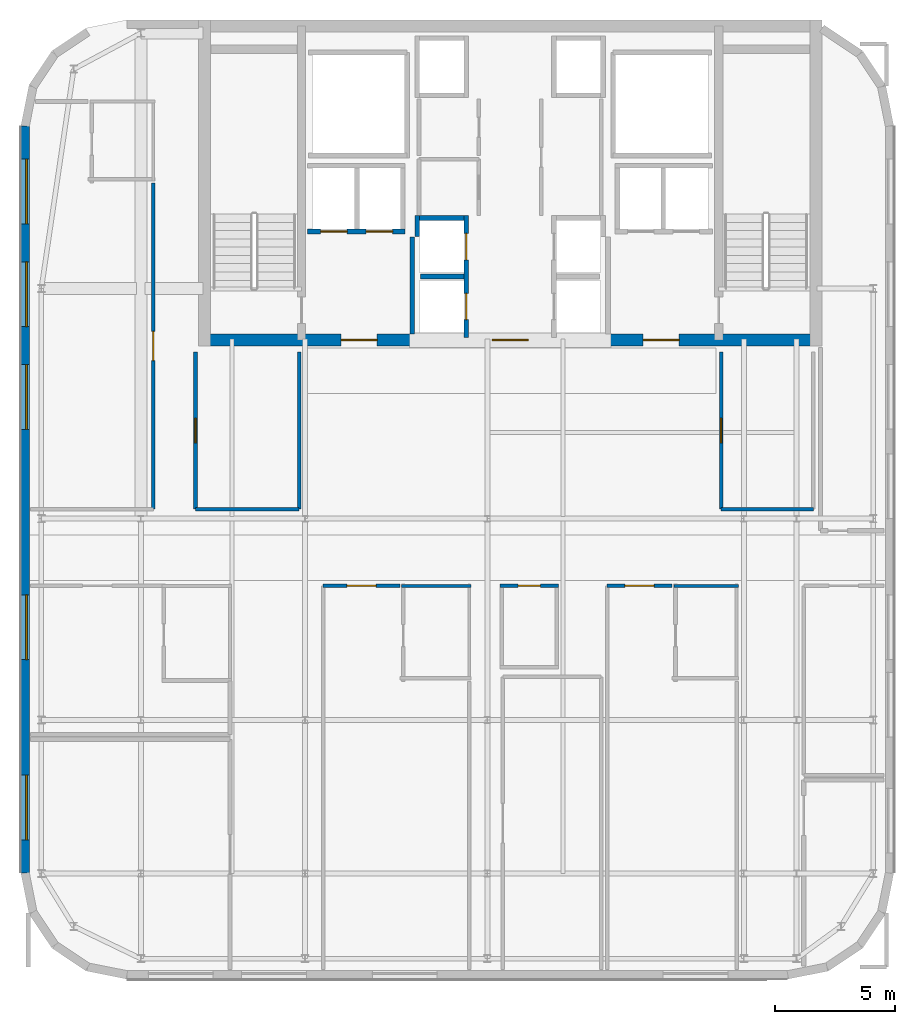
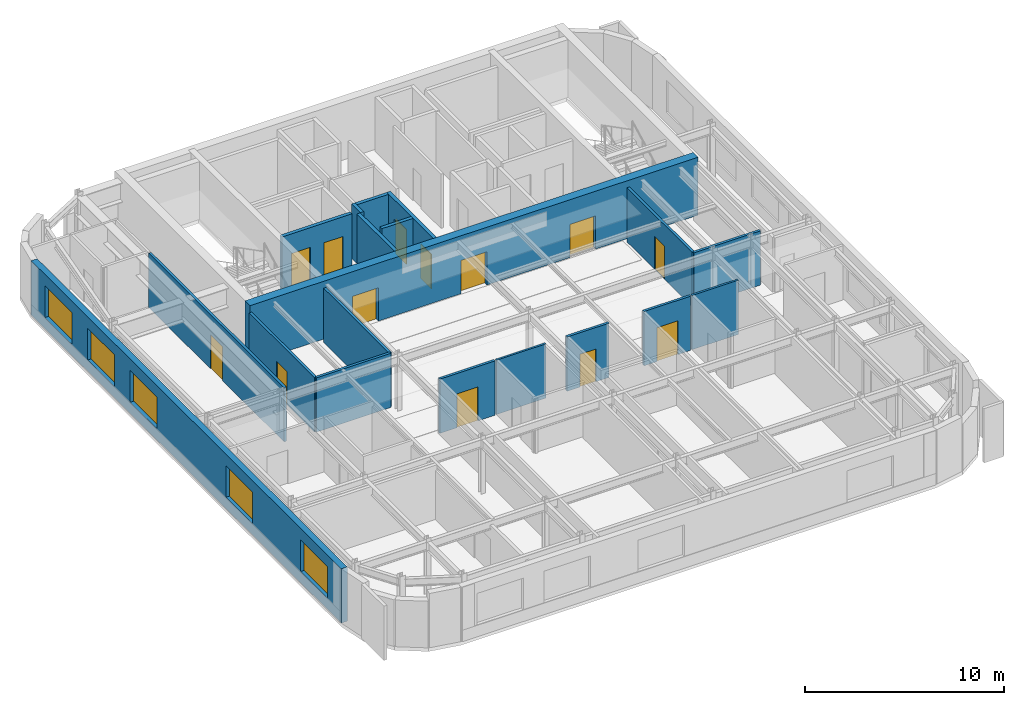
# One storey, part 7 of 15: 19 walls, 13 doors, 5 windows, 18 openings.
"""IFC4 building model written with IfcOpenShell, lengths in metres."""

from ifc_helpers import new_model, si_unit, direction, frame, frame_2d, origin, place, context, subcontext, project, spatial, rectangle, extrude, source, transform, mapped, material, layer, layer_set, type_object, type_shapes, element, fill, save


model = new_model("IFC4")

# Units and contexts
model_context = context("Model", 3, precision=1e-05, world=origin(), true_north=direction((0.0, 1.0)))
body_context = subcontext(model_context, "Body", "Model", "MODEL_VIEW")
ifc_project = project(units=[si_unit("LENGTHUNIT", "METRE"), si_unit("AREAUNIT", "SQUARE_METRE"), si_unit("VOLUMEUNIT", "CUBIC_METRE"), si_unit("PLANEANGLEUNIT", "RADIAN"), si_unit("MASSUNIT", "GRAM", prefix="KILO")], contexts=[model_context])

# Site, building, storey
site_placement = place(None, origin())
site = spatial("IfcSite", under=ifc_project, at=site_placement, CompositionType="ELEMENT")
building_placement = place(site_placement, origin())
building = spatial("IfcBuilding", under=site, at=building_placement, Name="Tolvann Quenvar Hotel", CompositionType="ELEMENT")
storey_placement = place(building_placement, frame((0.0, 0.0, 278.60009765625)))
storey = spatial("IfcBuildingStorey", under=building, at=storey_placement, Name="L74", CompositionType="ELEMENT", Elevation=278.60009765625)

# Wall, openings, doors
ifc_material_1 = material(Name="Concrete N50 (50 MPa)", Category="concrete")
ifc_layer_1 = layer(ifc_material_1, 0.5)
ifc_layer_set_1 = layer_set([ifc_layer_1], Name="Concrete N50 (50 MPa)")
wall_type_1 = type_object("IfcWallType", Name="WALL_CORE_500", PredefinedType="SHEAR", material=ifc_layer_set_1)
wall_1_placement = place(storey_placement, frame((10.0, 31.85009765625, 0.0), z_axis=(0.0, 0.0, 1.0), x_axis=(1.0, 0.0, 0.0)))
wall_1 = element("IfcWall", 1, at=wall_1_placement, inside=storey, type_object=wall_type_1, Name="Rear Core S Shear Wall (L74)", PredefinedType="SHEAR", context=body_context, shape_type="SweptSolid", body=[
    extrude(rectangle(XDim=26.0, YDim=0.5, at=frame_2d((13.0, 0.0))), origin(), (0.0, 0.0, 1.0), 3.5498046875),
])
opening_1_placement = place(wall_1_placement, frame((7.449951171875, 0.0, 0.0), z_axis=(0.0, 0.0, 1.0), x_axis=(-1.0, 0.0, 0.0)))
opening_1 = element("IfcOpeningElement", 2, at=opening_1_placement, cuts=wall_1, Name="Opening FD-60D", PredefinedType="OPENING", context=body_context, shape_type="SweptSolid", body=[
    extrude(rectangle(XDim=1.5, YDim=2.0400390625, at=frame_2d((0.75, 1.02001953125))), frame((0.0, 0.260009765625, 0.0), z_axis=(0.0, -1.0, 0.0), x_axis=(1.0, 0.0, 0.0)), (0.0, 0.0, 1.0), 0.52001953125),
])
opening_2_placement = place(wall_1_placement, frame((13.75, 0.0, 0.0), z_axis=(0.0, 0.0, 1.0), x_axis=(-1.0, 0.0, 0.0)))
opening_2 = element("IfcOpeningElement", 3, at=opening_2_placement, cuts=wall_1, Name="Opening FD-60D", PredefinedType="OPENING", context=body_context, shape_type="SweptSolid", body=[
    extrude(rectangle(XDim=1.5, YDim=2.0400390625, at=frame_2d((0.75, 1.02001953125))), frame((0.0, 0.260009765625, 0.0), z_axis=(0.0, -1.0, 0.0), x_axis=(1.0, 0.0, 0.0)), (0.0, 0.0, 1.0), 0.52001953125),
])
opening_3_placement = place(wall_1_placement, frame((20.050048828125, 0.0, 0.0), z_axis=(0.0, 0.0, 1.0), x_axis=(-1.0, 0.0, 0.0)))
opening_3 = element("IfcOpeningElement", 4, at=opening_3_placement, cuts=wall_1, Name="Opening FD-60D", PredefinedType="OPENING", context=body_context, shape_type="SweptSolid", body=[
    extrude(rectangle(XDim=1.5, YDim=2.0400390625, at=frame_2d((0.75, 1.02001953125))), frame((0.0, 0.260009765625, 0.0), z_axis=(0.0, -1.0, 0.0), x_axis=(1.0, 0.0, 0.0)), (0.0, 0.0, 1.0), 0.52001953125),
])
ifc_material_2 = material(Name="Solid-core American oak acoustic fire door leaf in steel frame", Category="steel")
door_type_1 = type_object("IfcDoorType", Name="DOOR_FIRE_LOBBY_1500", OperationType="NOTDEFINED", PredefinedType="DOOR", material=ifc_material_2)
shared_shape_1 = source(origin(), body_context, "Body", "SweptSolid", [
    extrude(rectangle(XDim=1.5, YDim=2.0400390625, at=frame_2d((0.75, 1.02001953125))), frame((0.0, 0.02490234375, 0.0), z_axis=(0.0, -1.0, 0.0), x_axis=(1.0, 0.0, 0.0)), (0.0, 0.0, 1.0), 0.050048828125),
])
type_shapes(door_type_1, [shared_shape_1])
door_1_placement = place(opening_1_placement, origin())
door_1 = element("IfcDoor", 5, at=door_1_placement, inside=storey, type_object=door_type_1, Name="Core Lobby Fire Door FFW (L74)", OperationType="DOUBLE_DOOR_SINGLE_SWING", OverallHeight=2.0400390625, OverallWidth=1.5, PredefinedType="DOOR", context=body_context, shape_type="MappedRepresentation", body=[
    mapped(shared_shape_1, transform((0.0, 0.0, 0.0), x_axis=(1.0, 0.0, 0.0), y_axis=(0.0, 1.0, 0.0), z_axis=(0.0, 0.0, 1.0), scale=1.0)),
])
fill(opening_1, door_1)
door_2_placement = place(opening_2_placement, origin())
door_2 = element("IfcDoor", 6, at=door_2_placement, inside=storey, type_object=door_type_1, Name="Core Lobby Fire Door CLOB (L74)", OperationType="DOUBLE_DOOR_SINGLE_SWING", OverallHeight=2.0400390625, OverallWidth=1.5, PredefinedType="DOOR", context=body_context, shape_type="MappedRepresentation", body=[
    mapped(shared_shape_1, transform((0.0, 0.0, 0.0), x_axis=(1.0, 0.0, 0.0), y_axis=(0.0, 1.0, 0.0), z_axis=(0.0, 0.0, 1.0), scale=1.0)),
])
fill(opening_2, door_2)
door_3_placement = place(opening_3_placement, origin())
door_3 = element("IfcDoor", 7, at=door_3_placement, inside=storey, type_object=door_type_1, Name="Core Lobby Fire Door FFE (L74)", OperationType="DOUBLE_DOOR_SINGLE_SWING", OverallHeight=2.0400390625, OverallWidth=1.5, PredefinedType="DOOR", context=body_context, shape_type="MappedRepresentation", body=[
    mapped(shared_shape_1, transform((0.0, 0.0, 0.0), x_axis=(1.0, 0.0, 0.0), y_axis=(0.0, 1.0, 0.0), z_axis=(0.0, 0.0, 1.0), scale=1.0)),
])
fill(opening_3, door_3)

# Wall, openings, windows
ifc_material_3 = material(Name="Kiln-fired red and buff architectural clay brickwork and terracotta masonry", Category="masonry")
ifc_layer_2 = layer(ifc_material_3, 0.35009765625)
ifc_layer_set_2 = layer_set([ifc_layer_2], Name="Kiln-fired red and buff architectural clay brickwork and terracotta masonry")
wall_type_2 = type_object("IfcWallType", Name="WALL_EXT_BRICK_350", PredefinedType="SOLIDWALL", material=ifc_layer_set_2)
wall_2_placement = place(storey_placement, frame((2.77490234375, 40.78271484375, 0.0), z_axis=(0.0, 0.0, 1.0), x_axis=(0.0, -1.0, 0.0)))
wall_2 = element("IfcWall", 8, at=wall_2_placement, inside=storey, type_object=wall_type_2, Name="Exterior Chicago Brick Wall L74-E19", PredefinedType="SOLIDWALL", context=body_context, shape_type="SweptSolid", body=[
    extrude(rectangle(XDim=31.16552734375, YDim=0.35009765625, at=frame_2d((15.582763671875, 0.0))), origin(), (0.0, 0.0, 1.0), 3.329833984375),
])
opening_4_placement = place(wall_2_placement, frame((1.389892578125, 0.0, 0.679931640625)))
opening_4 = element("IfcOpeningElement", 9, at=opening_4_placement, cuts=wall_2, Name="Opening W-04", PredefinedType="OPENING", context=body_context, shape_type="SweptSolid", body=[
    extrude(rectangle(XDim=2.699951171875, YDim=1.949951171875, at=frame_2d((1.35009765625, 0.97509765625))), frame((0.0, 0.18505859375, 0.0), z_axis=(0.0, -1.0, 0.0), x_axis=(1.0, 0.0, 0.0)), (0.0, 0.0, 1.0), 0.3701171875),
])
opening_5_placement = place(wall_2_placement, frame((5.6708984375, 0.0, 0.679931640625)))
opening_5 = element("IfcOpeningElement", 10, at=opening_5_placement, cuts=wall_2, Name="Opening W-04", PredefinedType="OPENING", context=body_context, shape_type="SweptSolid", body=[
    extrude(rectangle(XDim=2.699951171875, YDim=1.949951171875, at=frame_2d((1.35009765625, 0.97509765625))), frame((0.0, 0.18505859375, 0.0), z_axis=(0.0, -1.0, 0.0), x_axis=(1.0, 0.0, 0.0)), (0.0, 0.0, 1.0), 0.3701171875),
])
opening_6_placement = place(wall_2_placement, frame((9.951904296875, 0.0, 0.679931640625)))
opening_6 = element("IfcOpeningElement", 11, at=opening_6_placement, cuts=wall_2, Name="Opening W-04", PredefinedType="OPENING", context=body_context, shape_type="SweptSolid", body=[
    extrude(rectangle(XDim=2.699951171875, YDim=1.949951171875, at=frame_2d((1.35009765625, 0.97509765625))), frame((0.0, 0.18505859375, 0.0), z_axis=(0.0, -1.0, 0.0), x_axis=(1.0, 0.0, 0.0)), (0.0, 0.0, 1.0), 0.3701171875),
])
opening_7_placement = place(wall_2_placement, frame((19.56396484375, 0.0, 0.679931640625)))
opening_7 = element("IfcOpeningElement", 12, at=opening_7_placement, cuts=wall_2, Name="Opening W-04", PredefinedType="OPENING", context=body_context, shape_type="SweptSolid", body=[
    extrude(rectangle(XDim=2.699951171875, YDim=1.949951171875, at=frame_2d((1.35009765625, 0.97509765625))), frame((0.0, 0.18505859375, 0.0), z_axis=(0.0, -1.0, 0.0), x_axis=(1.0, 0.0, 0.0)), (0.0, 0.0, 1.0), 0.3701171875),
])
opening_8_placement = place(wall_2_placement, frame((27.074951171875, 0.0, 0.679931640625)))
opening_8 = element("IfcOpeningElement", 13, at=opening_8_placement, cuts=wall_2, Name="Opening W-04", PredefinedType="OPENING", context=body_context, shape_type="SweptSolid", body=[
    extrude(rectangle(XDim=2.699951171875, YDim=1.949951171875, at=frame_2d((1.35009765625, 0.97509765625))), frame((0.0, 0.18505859375, 0.0), z_axis=(0.0, -1.0, 0.0), x_axis=(1.0, 0.0, 0.0)), (0.0, 0.0, 1.0), 0.3701171875),
])
ifc_material_4 = material(Name="Thermally broken bronze-anodised aluminium frame with double low-E glazing", Category="aluminium")
window_type = type_object("IfcWindowType", Name="WIN_STE_2700x2150", PartitioningType="TRIPLE_PANEL_HORIZONTAL", PredefinedType="WINDOW", material=ifc_material_4)
shared_shape_2 = source(origin(), body_context, "Body", "SweptSolid", [
    extrude(rectangle(XDim=2.699951171875, YDim=1.949951171875, at=frame_2d((1.35009765625, 0.97509765625))), frame((0.0, 0.090087890625, 0.0), z_axis=(0.0, -1.0, 0.0), x_axis=(1.0, 0.0, 0.0)), (0.0, 0.0, 1.0), 0.06005859375),
])
type_shapes(window_type, [shared_shape_2])
window_1_placement = place(opening_4_placement, origin())
window_1 = element("IfcWindow", 14, at=window_1_placement, inside=storey, type_object=window_type, Name="Chicago Window W-04 (EW-L74-E19-W01)", OverallHeight=1.949951171875, OverallWidth=2.699951171875, PartitioningType="TRIPLE_PANEL_HORIZONTAL", PredefinedType="WINDOW", context=body_context, shape_type="MappedRepresentation", body=[
    mapped(shared_shape_2, transform((0.0, 0.0, 0.0), x_axis=(1.0, 0.0, 0.0), y_axis=(0.0, 1.0, 0.0), z_axis=(0.0, 0.0, 1.0), scale=1.0)),
])
fill(opening_4, window_1)
window_2_placement = place(opening_5_placement, origin())
window_2 = element("IfcWindow", 15, at=window_2_placement, inside=storey, type_object=window_type, Name="Chicago Window W-04 (EW-L74-E19-W02)", OverallHeight=1.949951171875, OverallWidth=2.699951171875, PartitioningType="TRIPLE_PANEL_HORIZONTAL", PredefinedType="WINDOW", context=body_context, shape_type="MappedRepresentation", body=[
    mapped(shared_shape_2, transform((0.0, 0.0, 0.0), x_axis=(1.0, 0.0, 0.0), y_axis=(0.0, 1.0, 0.0), z_axis=(0.0, 0.0, 1.0), scale=1.0)),
])
fill(opening_5, window_2)
window_3_placement = place(opening_6_placement, origin())
window_3 = element("IfcWindow", 16, at=window_3_placement, inside=storey, type_object=window_type, Name="Chicago Window W-04 (EW-L74-E19-W03)", OverallHeight=1.949951171875, OverallWidth=2.699951171875, PartitioningType="TRIPLE_PANEL_HORIZONTAL", PredefinedType="WINDOW", context=body_context, shape_type="MappedRepresentation", body=[
    mapped(shared_shape_2, transform((0.0, 0.0, 0.0), x_axis=(1.0, 0.0, 0.0), y_axis=(0.0, 1.0, 0.0), z_axis=(0.0, 0.0, 1.0), scale=1.0)),
])
fill(opening_6, window_3)
window_4_placement = place(opening_7_placement, origin())
window_4 = element("IfcWindow", 17, at=window_4_placement, inside=storey, type_object=window_type, Name="Chicago Window W-04 (EW-L74-E19-W04)", OverallHeight=1.949951171875, OverallWidth=2.699951171875, PartitioningType="TRIPLE_PANEL_HORIZONTAL", PredefinedType="WINDOW", context=body_context, shape_type="MappedRepresentation", body=[
    mapped(shared_shape_2, transform((0.0, 0.0, 0.0), x_axis=(1.0, 0.0, 0.0), y_axis=(0.0, 1.0, 0.0), z_axis=(0.0, 0.0, 1.0), scale=1.0)),
])
fill(opening_7, window_4)
window_5_placement = place(opening_8_placement, origin())
window_5 = element("IfcWindow", 18, at=window_5_placement, inside=storey, type_object=window_type, Name="Chicago Window W-04 (EW-L74-E19-W05)", OverallHeight=1.949951171875, OverallWidth=2.699951171875, PartitioningType="TRIPLE_PANEL_HORIZONTAL", PredefinedType="WINDOW", context=body_context, shape_type="MappedRepresentation", body=[
    mapped(shared_shape_2, transform((0.0, 0.0, 0.0), x_axis=(1.0, 0.0, 0.0), y_axis=(0.0, 1.0, 0.0), z_axis=(0.0, 0.0, 1.0), scale=1.0)),
])
fill(opening_8, window_5)

# Walls
ifc_material_5 = material(Name="Moisture-resistant acoustic plumbing wall assembly")
ifc_layer_3 = layer(ifc_material_5, 0.1201171875)
ifc_layer_set_3 = layer_set([ifc_layer_3], Name="Moisture-resistant acoustic plumbing wall assembly")
wall_type_3 = type_object("IfcWallType", Name="WALL_PART_BATH_120", PredefinedType="PLUMBINGWALL", material=ifc_layer_set_3)
wall_3_placement = place(storey_placement, frame((18.47998046875, 21.60009765625, 0.0), z_axis=(0.0, 0.0, 1.0), x_axis=(1.0, 0.0, 0.0)))
element("IfcWall", 19, at=wall_3_placement, inside=storey, type_object=wall_type_3, Name="Non-Rated Plumbing Partition PT-SPC-L74-PRC-ENS-N", PredefinedType="PLUMBINGWALL", context=body_context, shape_type="SweptSolid", body=[
    extrude(rectangle(XDim=2.89013671875, YDim=0.1201171875, at=frame_2d((1.445068359375, 0.0))), origin(), (0.0, 0.0, 1.0), 3.329833984375),
])
wall_4_placement = place(storey_placement, frame((29.830078125, 21.60009765625, 0.0), z_axis=(0.0, 0.0, 1.0), x_axis=(1.0, 0.0, 0.0)))
element("IfcWall", 20, at=wall_4_placement, inside=storey, type_object=wall_type_3, Name="Non-Rated Plumbing Partition PT-SPC-L74-PSE-ENS-N", PredefinedType="PLUMBINGWALL", context=body_context, shape_type="SweptSolid", body=[
    extrude(rectangle(XDim=2.68994140625, YDim=0.1201171875, at=frame_2d((1.344970703125, 0.0))), origin(), (0.0, 0.0, 1.0), 3.329833984375),
])

# Wall, opening, door
ifc_material_6 = material(Name="Acoustic twin-stud fire-rated gypsum plasterboard partition")
ifc_layer_4 = layer(ifc_material_6, 0.14990234375)
ifc_layer_set_4 = layer_set([ifc_layer_4], Name="Acoustic twin-stud fire-rated gypsum plasterboard partition")
wall_type_4 = type_object("IfcWallType", Name="WALL_PART_SUITE_150", PredefinedType="PARTITIONING", material=ifc_layer_set_4)
wall_5_placement = place(storey_placement, frame((15.199951171875, 21.60009765625, 0.0), z_axis=(0.0, 0.0, 1.0), x_axis=(1.0, 0.0, 0.0)))
wall_5 = element("IfcWall", 21, at=wall_5_placement, inside=storey, type_object=wall_type_4, Name="Interior Partition PT-SPC-L74-PRC-LIV-ENT", PredefinedType="PARTITIONING", context=body_context, shape_type="SweptSolid", body=[
    extrude(rectangle(XDim=3.199951171875, YDim=0.14990234375, at=frame_2d((1.60009765625, 0.0))), origin(), (0.0, 0.0, 1.0), 3.329833984375),
])
opening_9_placement = place(wall_5_placement, frame((0.989990234375, 0.0, 0.0)))
opening_9 = element("IfcOpeningElement", 22, at=opening_9_placement, cuts=wall_5, Name="Opening SD-02", PredefinedType="OPENING", context=body_context, shape_type="SweptSolid", body=[
    extrude(rectangle(XDim=1.219970703125, YDim=2.080078125, at=frame_2d((0.60986328125, 1.0400390625))), frame((0.0, 0.0849609375, 0.0), z_axis=(0.0, -1.0, 0.0), x_axis=(1.0, 0.0, 0.0)), (0.0, 0.0, 1.0), 0.169921875),
])
door_type_2 = type_object("IfcDoorType", Name="DOOR_VIP_1220", OperationType="NOTDEFINED", PredefinedType="DOOR", material=ifc_material_2)
shared_shape_3 = source(origin(), body_context, "Body", "SweptSolid", [
    extrude(rectangle(XDim=1.219970703125, YDim=2.080078125, at=frame_2d((0.60986328125, 1.0400390625))), frame((0.0, 0.02490234375, 0.0), z_axis=(0.0, -1.0, 0.0), x_axis=(1.0, 0.0, 0.0)), (0.0, 0.0, 1.0), 0.050048828125),
])
type_shapes(door_type_2, [shared_shape_3])
door_4_placement = place(opening_9_placement, origin())
door_4 = element("IfcDoor", 23, at=door_4_placement, inside=storey, type_object=door_type_2, Name="Interior Door DOOR-SPC-L74-PRC-LIV", OperationType="SINGLE_SWING_LEFT", OverallHeight=2.080078125, OverallWidth=1.219970703125, PredefinedType="DOOR", context=body_context, shape_type="MappedRepresentation", body=[
    mapped(shared_shape_3, transform((0.0, 0.0, 0.0), x_axis=(1.0, 0.0, 0.0), y_axis=(0.0, 1.0, 0.0), z_axis=(0.0, 0.0, 1.0), scale=1.0)),
])
fill(opening_9, door_4)

wall_6_placement = place(storey_placement, frame((27.050048828125, 21.60009765625, 0.0), z_axis=(0.0, 0.0, 1.0), x_axis=(1.0, 0.0, 0.0)))
wall_6 = element("IfcWall", 24, at=wall_6_placement, inside=storey, type_object=wall_type_4, Name="Interior Partition PT-SPC-L74-PSE-LIV-ENT", PredefinedType="PARTITIONING", context=body_context, shape_type="SweptSolid", body=[
    extrude(rectangle(XDim=2.699951171875, YDim=0.14990234375, at=frame_2d((1.35009765625, 0.0))), origin(), (0.0, 0.0, 1.0), 3.329833984375),
])
opening_10_placement = place(wall_6_placement, frame((0.739990234375, 0.0, 0.0)))
opening_10 = element("IfcOpeningElement", 25, at=opening_10_placement, cuts=wall_6, Name="Opening SD-02", PredefinedType="OPENING", context=body_context, shape_type="SweptSolid", body=[
    extrude(rectangle(XDim=1.219970703125, YDim=2.080078125, at=frame_2d((0.60986328125, 1.0400390625))), frame((0.0, 0.0849609375, 0.0), z_axis=(0.0, -1.0, 0.0), x_axis=(1.0, 0.0, 0.0)), (0.0, 0.0, 1.0), 0.169921875),
])
door_5_placement = place(opening_10_placement, origin())
door_5 = element("IfcDoor", 26, at=door_5_placement, inside=storey, type_object=door_type_2, Name="Interior Door DOOR-SPC-L74-PSE-LIV", OperationType="SINGLE_SWING_RIGHT", OverallHeight=2.080078125, OverallWidth=1.219970703125, PredefinedType="DOOR", context=body_context, shape_type="MappedRepresentation", body=[
    mapped(shared_shape_3, transform((0.0, 0.0, 0.0), x_axis=(1.0, 0.0, 0.0), y_axis=(0.0, 1.0, 0.0), z_axis=(0.0, 0.0, 1.0), scale=1.0)),
])
fill(opening_10, door_5)

wall_7_placement = place(storey_placement, frame((8.1201171875, 24.800048828125, 0.0), z_axis=(0.0, 0.0, 1.0), x_axis=(0.0, 1.0, 0.0)))
wall_7 = element("IfcWall", 27, at=wall_7_placement, inside=storey, type_object=wall_type_4, Name="Interior Partition PT-SPC-L74-NW-STE-ENT", PredefinedType="PARTITIONING", context=body_context, shape_type="SweptSolid", body=[
    extrude(rectangle(XDim=13.599853515625, YDim=0.14990234375, at=frame_2d((6.7998046875, 0.0))), origin(), (0.0, 0.0, 1.0), 3.329833984375),
])
opening_11_placement = place(wall_7_placement, frame((6.18994140625, 0.0, 0.0)))
opening_11 = element("IfcOpeningElement", 28, at=opening_11_placement, cuts=wall_7, Name="Opening SD-02", PredefinedType="OPENING", context=body_context, shape_type="SweptSolid", body=[
    extrude(rectangle(XDim=1.219970703125, YDim=2.080078125, at=frame_2d((0.60986328125, 1.0400390625))), frame((0.0, 0.0849609375, 0.0), z_axis=(0.0, -1.0, 0.0), x_axis=(1.0, 0.0, 0.0)), (0.0, 0.0, 1.0), 0.169921875),
])
door_6_placement = place(opening_11_placement, origin())
door_6 = element("IfcDoor", 29, at=door_6_placement, inside=storey, type_object=door_type_2, Name="Interior Door DOOR-SPC-L74-NW-STE", OperationType="SINGLE_SWING_RIGHT", OverallHeight=2.080078125, OverallWidth=1.219970703125, PredefinedType="DOOR", context=body_context, shape_type="MappedRepresentation", body=[
    mapped(shared_shape_3, transform((0.0, 0.0, 0.0), x_axis=(1.0, 0.0, 0.0), y_axis=(0.0, 1.0, 0.0), z_axis=(0.0, 0.0, 1.0), scale=1.0)),
])
fill(opening_11, door_6)

# Wall
wall_8_placement = place(storey_placement, frame((9.8798828125, 24.800048828125, 0.0), z_axis=(0.0, 0.0, 1.0), x_axis=(1.0, 0.0, 0.0)))
element("IfcWall", 30, at=wall_8_placement, inside=storey, type_object=wall_type_4, Name="Interior Partition PT-SPC-L74-BUTL-S", PredefinedType="PARTITIONING", context=body_context, shape_type="SweptSolid", body=[
    extrude(rectangle(XDim=4.320068359375, YDim=0.14990234375, at=frame_2d((2.16015625, 0.0))), origin(), (0.0, 0.0, 1.0), 3.329833984375),
])

# Wall, opening, door
wall_9_placement = place(storey_placement, frame((9.8798828125, 24.800048828125, 0.0), z_axis=(0.0, 0.0, 1.0), x_axis=(0.0, 1.0, 0.0)))
wall_9 = element("IfcWall", 31, at=wall_9_placement, inside=storey, type_object=wall_type_4, Name="Interior Partition PT-SPC-L74-BUTL-W", PredefinedType="PARTITIONING", context=body_context, shape_type="SweptSolid", body=[
    extrude(rectangle(XDim=6.550048828125, YDim=0.14990234375, at=frame_2d((3.27490234375, 0.0))), origin(), (0.0, 0.0, 1.0), 3.329833984375),
])
opening_12_placement = place(wall_9_placement, frame((2.764892578125, 0.0, 0.0)))
opening_12 = element("IfcOpeningElement", 32, at=opening_12_placement, cuts=wall_9, Name="Opening HD-01", PredefinedType="OPENING", context=body_context, shape_type="SweptSolid", body=[
    extrude(rectangle(XDim=1.02001953125, YDim=2.030029296875, at=frame_2d((0.510009765625, 1.01513671875))), frame((0.0, 0.0849609375, 0.0), z_axis=(0.0, -1.0, 0.0), x_axis=(1.0, 0.0, 0.0)), (0.0, 0.0, 1.0), 0.169921875),
])
ifc_material_7 = material(Name="Pressed galvanised steel fire-rated door set", Category="steel")
door_type_3 = type_object("IfcDoorType", Name="DOOR_BOH_1020", OperationType="NOTDEFINED", PredefinedType="DOOR", material=ifc_material_7)
shared_shape_4 = source(origin(), body_context, "Body", "SweptSolid", [
    extrude(rectangle(XDim=1.02001953125, YDim=2.030029296875, at=frame_2d((0.510009765625, 1.01513671875))), frame((0.0, 0.02490234375, 0.0), z_axis=(0.0, -1.0, 0.0), x_axis=(1.0, 0.0, 0.0)), (0.0, 0.0, 1.0), 0.050048828125),
])
type_shapes(door_type_3, [shared_shape_4])
door_7_placement = place(opening_12_placement, origin())
door_7 = element("IfcDoor", 33, at=door_7_placement, inside=storey, type_object=door_type_3, Name="Interior Door DOOR-SPC-L74-BUTL", OperationType="SINGLE_SWING_LEFT", OverallHeight=2.030029296875, OverallWidth=1.02001953125, PredefinedType="DOOR", context=body_context, shape_type="MappedRepresentation", body=[
    mapped(shared_shape_4, transform((0.0, 0.0, 0.0), x_axis=(1.0, 0.0, 0.0), y_axis=(0.0, 1.0, 0.0), z_axis=(0.0, 0.0, 1.0), scale=1.0)),
])
fill(opening_12, door_7)

# Walls
wall_10_placement = place(storey_placement, frame((14.199951171875, 24.800048828125, 0.0), z_axis=(0.0, 0.0, 1.0), x_axis=(0.0, 1.0, 0.0)))
element("IfcWall", 34, at=wall_10_placement, inside=storey, type_object=wall_type_4, Name="Interior Partition PT-SPC-L74-BUTL-E", PredefinedType="PARTITIONING", context=body_context, shape_type="SweptSolid", body=[
    extrude(rectangle(XDim=6.550048828125, YDim=0.14990234375, at=frame_2d((3.27490234375, 0.0))), origin(), (0.0, 0.0, 1.0), 3.329833984375),
])
wall_11_placement = place(storey_placement, frame((31.800048828125, 24.800048828125, 0.0), z_axis=(0.0, 0.0, 1.0), x_axis=(1.0, 0.0, 0.0)))
element("IfcWall", 35, at=wall_11_placement, inside=storey, type_object=wall_type_4, Name="Interior Partition PT-SPC-L74-HSK-S", PredefinedType="PARTITIONING", context=body_context, shape_type="SweptSolid", body=[
    extrude(rectangle(XDim=3.849853515625, YDim=0.14990234375, at=frame_2d((1.9248046875, 0.0))), origin(), (0.0, 0.0, 1.0), 3.329833984375),
])

# Wall, opening, door
wall_12_placement = place(storey_placement, frame((31.800048828125, 24.800048828125, 0.0), z_axis=(0.0, 0.0, 1.0), x_axis=(0.0, 1.0, 0.0)))
wall_12 = element("IfcWall", 36, at=wall_12_placement, inside=storey, type_object=wall_type_4, Name="Interior Partition PT-SPC-L74-HSK-W", PredefinedType="PARTITIONING", context=body_context, shape_type="SweptSolid", body=[
    extrude(rectangle(XDim=6.550048828125, YDim=0.14990234375, at=frame_2d((3.27490234375, 0.0))), origin(), (0.0, 0.0, 1.0), 3.329833984375),
])
opening_13_placement = place(wall_12_placement, frame((2.764892578125, 0.0, 0.0)))
opening_13 = element("IfcOpeningElement", 37, at=opening_13_placement, cuts=wall_12, Name="Opening HD-01", PredefinedType="OPENING", context=body_context, shape_type="SweptSolid", body=[
    extrude(rectangle(XDim=1.02001953125, YDim=2.030029296875, at=frame_2d((0.510009765625, 1.01513671875))), frame((0.0, 0.0849609375, 0.0), z_axis=(0.0, -1.0, 0.0), x_axis=(1.0, 0.0, 0.0)), (0.0, 0.0, 1.0), 0.169921875),
])
door_8_placement = place(opening_13_placement, origin())
door_8 = element("IfcDoor", 38, at=door_8_placement, inside=storey, type_object=door_type_3, Name="Interior Door DOOR-SPC-L74-HSK", OperationType="SINGLE_SWING_RIGHT", OverallHeight=2.030029296875, OverallWidth=1.02001953125, PredefinedType="DOOR", context=body_context, shape_type="MappedRepresentation", body=[
    mapped(shared_shape_4, transform((0.0, 0.0, 0.0), x_axis=(1.0, 0.0, 0.0), y_axis=(0.0, 1.0, 0.0), z_axis=(0.0, 0.0, 1.0), scale=1.0)),
])
fill(opening_13, door_8)

wall_13_placement = place(storey_placement, frame((22.580078125, 21.60009765625, 0.0), z_axis=(0.0, 0.0, 1.0), x_axis=(1.0, 0.0, 0.0)))
wall_13 = element("IfcWall", 39, at=wall_13_placement, inside=storey, type_object=wall_type_4, Name="Interior Partition PT-SPC-L74-WCA-N", PredefinedType="PARTITIONING", context=body_context, shape_type="SweptSolid", body=[
    extrude(rectangle(XDim=2.43994140625, YDim=0.14990234375, at=frame_2d((1.219970703125, 0.0))), origin(), (0.0, 0.0, 1.0), 3.329833984375),
])
opening_14_placement = place(wall_13_placement, frame((0.760009765625, 0.0, 0.0)))
opening_14 = element("IfcOpeningElement", 40, at=opening_14_placement, cuts=wall_13, Name="Opening WD-01", PredefinedType="OPENING", context=body_context, shape_type="SweptSolid", body=[
    extrude(rectangle(XDim=0.919921875, YDim=2.010009765625, at=frame_2d((0.4599609375, 1.0048828125))), frame((0.0, 0.0849609375, 0.0), z_axis=(0.0, -1.0, 0.0), x_axis=(1.0, 0.0, 0.0)), (0.0, 0.0, 1.0), 0.169921875),
])
door_type_4 = type_object("IfcDoorType", Name="DOOR_WC_920", OperationType="NOTDEFINED", PredefinedType="DOOR", material=ifc_material_2)
shared_shape_5 = source(origin(), body_context, "Body", "SweptSolid", [
    extrude(rectangle(XDim=0.919921875, YDim=2.010009765625, at=frame_2d((0.4599609375, 1.0048828125))), frame((0.0, 0.02490234375, 0.0), z_axis=(0.0, -1.0, 0.0), x_axis=(1.0, 0.0, 0.0)), (0.0, 0.0, 1.0), 0.050048828125),
])
type_shapes(door_type_4, [shared_shape_5])
door_9_placement = place(opening_14_placement, origin())
door_9 = element("IfcDoor", 41, at=door_9_placement, inside=storey, type_object=door_type_4, Name="Interior Door DOOR-SPC-L74-WCA", OperationType="SINGLE_SWING_LEFT", OverallHeight=2.010009765625, OverallWidth=0.919921875, PredefinedType="DOOR", context=body_context, shape_type="MappedRepresentation", body=[
    mapped(shared_shape_5, transform((0.0, 0.0, 0.0), x_axis=(1.0, 0.0, 0.0), y_axis=(0.0, 1.0, 0.0), z_axis=(0.0, 0.0, 1.0), scale=1.0)),
])
fill(opening_14, door_9)

# Wall
ifc_material_8 = material(Name="Concrete N40 (40 MPa)", Category="concrete")
ifc_layer_5 = layer(ifc_material_8, 0.199951171875)
ifc_layer_set_5 = layer_set([ifc_layer_5], Name="Concrete N40 (40 MPa)")
wall_type_5 = type_object("IfcWallType", Name="WALL_SHAFT_200", PredefinedType="SOLIDWALL", material=ifc_layer_set_5)
wall_14_placement = place(storey_placement, frame((18.919921875, 32.10400390625, 0.0), z_axis=(0.0, 0.0, 1.0), x_axis=(0.0, 1.0, 0.0)))
element("IfcWall", 42, at=wall_14_placement, inside=storey, type_object=wall_type_5, Name="Firefighting Lobby W Inner Fire Wall (L74)", PredefinedType="SOLIDWALL", context=body_context, shape_type="SweptSolid", body=[
    extrude(rectangle(XDim=4.0458984375, YDim=0.199951171875, at=frame_2d((2.02294921875, 0.0))), origin(), (0.0, 0.0, 1.0), 3.329833984375),
])

# Wall, openings, doors
wall_15_placement = place(storey_placement, frame((21.169921875, 31.9599609375, 0.0), z_axis=(0.0, 0.0, 1.0), x_axis=(0.0, 1.0, 0.0)))
wall_15 = element("IfcWall", 43, at=wall_15_placement, inside=storey, type_object=wall_type_5, Name="Lift Bank E21.1C1 Hoistway Front Wall (L74)", PredefinedType="SOLIDWALL", context=body_context, shape_type="SweptSolid", body=[
    extrude(rectangle(XDim=5.080078125, YDim=0.199951171875, at=frame_2d((2.5400390625, 0.0))), origin(), (0.0, 0.0, 1.0), 3.329833984375),
])
opening_15_placement = place(wall_15_placement, frame((0.739990234375, 0.0, 0.0)))
opening_15 = element("IfcOpeningElement", 44, at=opening_15_placement, cuts=wall_15, Name="Opening LD-01", PredefinedType="OPENING", context=body_context, shape_type="SweptSolid", body=[
    extrude(rectangle(XDim=1.10009765625, YDim=2.1201171875, at=frame_2d((0.550048828125, 1.06005859375))), frame((0.0, 0.10986328125, 0.0), z_axis=(0.0, -1.0, 0.0), x_axis=(1.0, 0.0, 0.0)), (0.0, 0.0, 1.0), 0.219970703125),
])
opening_16_placement = place(wall_15_placement, frame((3.239990234375, 0.0, 0.0)))
opening_16 = element("IfcOpeningElement", 45, at=opening_16_placement, cuts=wall_15, Name="Opening LD-01", PredefinedType="OPENING", context=body_context, shape_type="SweptSolid", body=[
    extrude(rectangle(XDim=1.10009765625, YDim=2.1201171875, at=frame_2d((0.550048828125, 1.06005859375))), frame((0.0, 0.10986328125, 0.0), z_axis=(0.0, -1.0, 0.0), x_axis=(1.0, 0.0, 0.0)), (0.0, 0.0, 1.0), 0.219970703125),
])
ifc_material_9 = material(Name="Brushed 316 stainless steel automatic sliding lift landing door", Category="steel")
door_type_5 = type_object("IfcDoorType", Name="DOOR_LIFT_SLIDE_1100", OperationType="NOTDEFINED", PredefinedType="DOOR", material=ifc_material_9)
shared_shape_6 = source(origin(), body_context, "Body", "SweptSolid", [
    extrude(rectangle(XDim=1.10009765625, YDim=2.1201171875, at=frame_2d((0.550048828125, 1.06005859375))), frame((0.0, 0.02490234375, 0.0), z_axis=(0.0, -1.0, 0.0), x_axis=(1.0, 0.0, 0.0)), (0.0, 0.0, 1.0), 0.050048828125),
])
type_shapes(door_type_5, [shared_shape_6])
door_10_placement = place(opening_15_placement, origin())
door_10 = element("IfcDoor", 46, at=door_10_placement, inside=storey, type_object=door_type_5, Name="Lift PH-1 Sliding Landing Door (L74)", OperationType="SLIDING_TO_LEFT", OverallHeight=2.1201171875, OverallWidth=1.10009765625, PredefinedType="DOOR", context=body_context, shape_type="MappedRepresentation", body=[
    mapped(shared_shape_6, transform((0.0, 0.0, 0.0), x_axis=(1.0, 0.0, 0.0), y_axis=(0.0, 1.0, 0.0), z_axis=(0.0, 0.0, 1.0), scale=1.0)),
])
fill(opening_15, door_10)
door_11_placement = place(opening_16_placement, origin())
door_11 = element("IfcDoor", 47, at=door_11_placement, inside=storey, type_object=door_type_5, Name="Lift PH-2 Sliding Landing Door (L74)", OperationType="SLIDING_TO_RIGHT", OverallHeight=2.1201171875, OverallWidth=1.10009765625, PredefinedType="DOOR", context=body_context, shape_type="MappedRepresentation", body=[
    mapped(shared_shape_6, transform((0.0, 0.0, 0.0), x_axis=(1.0, 0.0, 0.0), y_axis=(0.0, 1.0, 0.0), z_axis=(0.0, 0.0, 1.0), scale=1.0)),
])
fill(opening_16, door_11)

# Walls
wall_16_placement = place(storey_placement, frame((19.1298828125, 36.159912109375, 0.0), z_axis=(0.0, 0.0, 1.0), x_axis=(0.0, 1.0, 0.0)))
element("IfcWall", 48, at=wall_16_placement, inside=storey, type_object=wall_type_5, Name="Lift Bank E21.1C1 Hoistway Rear Wall (L74)", PredefinedType="SOLIDWALL", context=body_context, shape_type="SweptSolid", body=[
    extrude(rectangle(XDim=0.880126953125, YDim=0.199951171875, at=frame_2d((0.43994140625, 0.0))), origin(), (0.0, 0.0, 1.0), 3.329833984375),
])
wall_17_placement = place(storey_placement, frame((19.22998046875, 36.93994140625, 0.0), z_axis=(0.0, 0.0, 1.0), x_axis=(1.0, 0.0, 0.0)))
element("IfcWall", 49, at=wall_17_placement, inside=storey, type_object=wall_type_5, Name="Lift Bank E21.1C1 Hoistway Cheek Wall 2 (L74)", PredefinedType="SOLIDWALL", context=body_context, shape_type="SweptSolid", body=[
    extrude(rectangle(XDim=1.840087890625, YDim=0.199951171875, at=frame_2d((0.919921875, 0.0))), origin(), (0.0, 0.0, 1.0), 3.329833984375),
])
wall_18_placement = place(storey_placement, frame((19.27001953125, 34.5, 0.0), z_axis=(0.0, 0.0, 1.0), x_axis=(1.0, 0.0, 0.0)))
element("IfcWall", 50, at=wall_18_placement, inside=storey, type_object=wall_type_5, Name="Lift Bank E21.1C1 Divider Wall 1 (L74)", PredefinedType="SOLIDWALL", context=body_context, shape_type="SweptSolid", body=[
    extrude(rectangle(XDim=1.800048828125, YDim=0.199951171875, at=frame_2d((0.89990234375, 0.0))), origin(), (0.0, 0.0, 1.0), 3.329833984375),
])

# Wall, openings, doors
wall_19_placement = place(storey_placement, frame((14.550048828125, 36.3798828125, 0.0), z_axis=(0.0, 0.0, 1.0), x_axis=(1.0, 0.0, 0.0)))
wall_19 = element("IfcWall", 51, at=wall_19_placement, inside=storey, type_object=wall_type_5, Name="Lift Bank SWC1 Hoistway Front Wall (L74)", PredefinedType="SOLIDWALL", context=body_context, shape_type="SweptSolid", body=[
    extrude(rectangle(XDim=4.074951171875, YDim=0.199951171875, at=frame_2d((2.03759765625, 0.0))), origin(), (0.0, 0.0, 1.0), 3.329833984375),
])
opening_17_placement = place(wall_19_placement, frame((0.550048828125, 0.0, 0.0)))
opening_17 = element("IfcOpeningElement", 52, at=opening_17_placement, cuts=wall_19, Name="Opening LD-01", PredefinedType="OPENING", context=body_context, shape_type="SweptSolid", body=[
    extrude(rectangle(XDim=1.10009765625, YDim=2.1201171875, at=frame_2d((0.550048828125, 1.06005859375))), frame((0.0, 0.10986328125, 0.0), z_axis=(0.0, -1.0, 0.0), x_axis=(1.0, 0.0, 0.0)), (0.0, 0.0, 1.0), 0.219970703125),
])
opening_18_placement = place(wall_19_placement, frame((2.449951171875, 0.0, 0.0)))
opening_18 = element("IfcOpeningElement", 53, at=opening_18_placement, cuts=wall_19, Name="Opening LD-01", PredefinedType="OPENING", context=body_context, shape_type="SweptSolid", body=[
    extrude(rectangle(XDim=1.10009765625, YDim=2.1201171875, at=frame_2d((0.550048828125, 1.06005859375))), frame((0.0, 0.10986328125, 0.0), z_axis=(0.0, -1.0, 0.0), x_axis=(1.0, 0.0, 0.0)), (0.0, 0.0, 1.0), 0.219970703125),
])
door_12_placement = place(opening_17_placement, origin())
door_12 = element("IfcDoor", 54, at=door_12_placement, inside=storey, type_object=door_type_5, Name="Lift FF-1 Sliding Landing Door (L74)", OperationType="SLIDING_TO_LEFT", OverallHeight=2.1201171875, OverallWidth=1.10009765625, PredefinedType="DOOR", context=body_context, shape_type="MappedRepresentation", body=[
    mapped(shared_shape_6, transform((0.0, 0.0, 0.0), x_axis=(1.0, 0.0, 0.0), y_axis=(0.0, 1.0, 0.0), z_axis=(0.0, 0.0, 1.0), scale=1.0)),
])
fill(opening_17, door_12)
door_13_placement = place(opening_18_placement, origin())
door_13 = element("IfcDoor", 55, at=door_13_placement, inside=storey, type_object=door_type_5, Name="Lift SV-1 Sliding Landing Door (L74)", OperationType="SLIDING_TO_RIGHT", OverallHeight=2.1201171875, OverallWidth=1.10009765625, PredefinedType="DOOR", context=body_context, shape_type="MappedRepresentation", body=[
    mapped(shared_shape_6, transform((0.0, 0.0, 0.0), x_axis=(1.0, 0.0, 0.0), y_axis=(0.0, 1.0, 0.0), z_axis=(0.0, 0.0, 1.0), scale=1.0)),
])
fill(opening_18, door_13)

save(model, "model.ifc")
